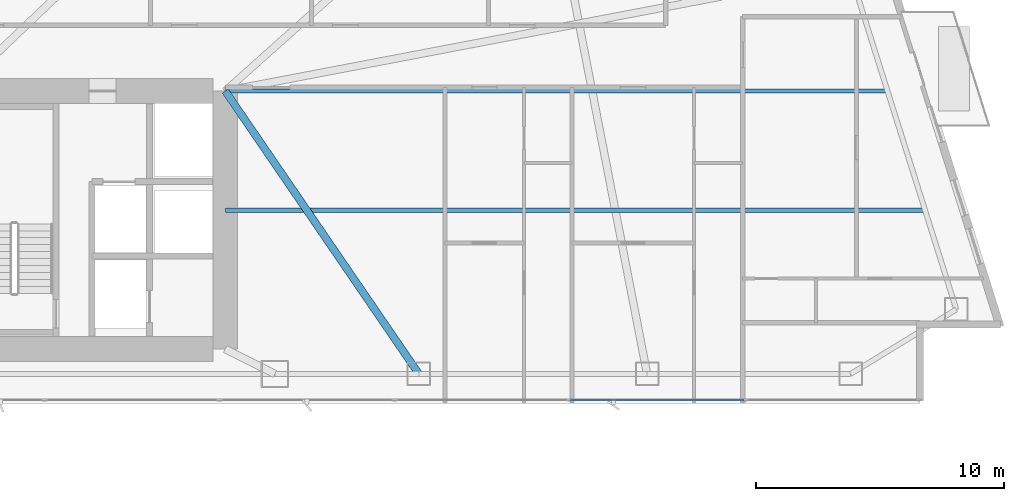
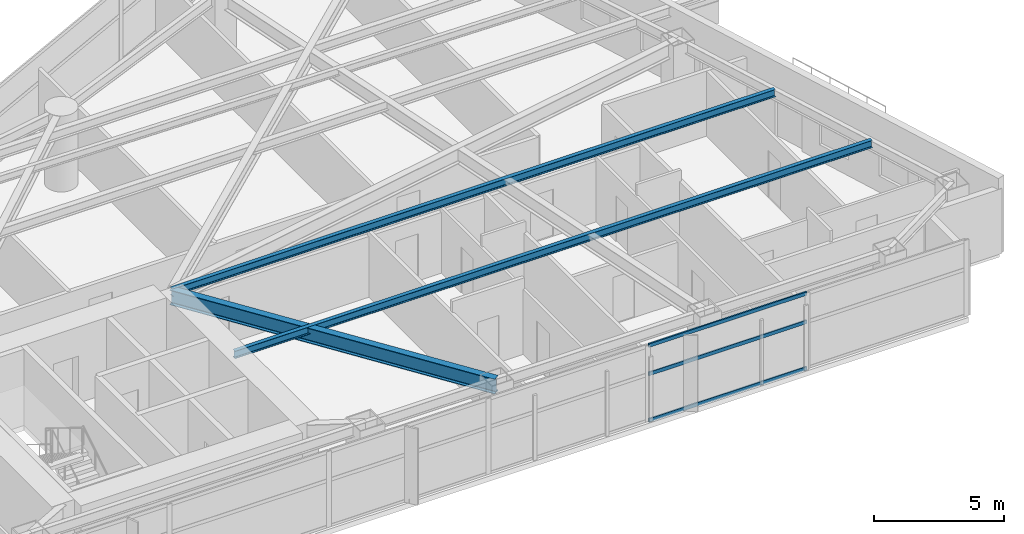
# One storey, part 13 of 29: 3 beams, 3 members, 1 element without a shape of its own.
"""IFC4 building model written with IfcOpenShell, lengths in metres."""

from ifc_helpers import new_model, si_unit, direction, frame, origin, origin_2d, place, context, subcontext, project, spatial, hollow_rectangle, i_section, extrude, material, layer, layer_set, material_profile, profile_set, type_object, element, aggregate, save


model = new_model("IFC4")

# Units and contexts
model_context = context("Model", 3, precision=1e-05, world=origin(), true_north=direction((0.0, 1.0)))
body_context = subcontext(model_context, "Body", "Model", "MODEL_VIEW")
ifc_project = project(units=[si_unit("LENGTHUNIT", "METRE"), si_unit("AREAUNIT", "SQUARE_METRE"), si_unit("VOLUMEUNIT", "CUBIC_METRE"), si_unit("PLANEANGLEUNIT", "RADIAN"), si_unit("MASSUNIT", "GRAM", prefix="KILO")], contexts=[model_context])

# Site, building, storey
site_placement = place(None, origin())
site = spatial("IfcSite", under=ifc_project, at=site_placement, CompositionType="ELEMENT")
building_placement = place(site_placement, origin())
building = spatial("IfcBuilding", under=site, at=building_placement, Name="Calvorn Quay Hotel", CompositionType="ELEMENT")
storey_placement = place(building_placement, frame((0.0, 0.0, 85.0)))
storey = spatial("IfcBuildingStorey", under=building, at=storey_placement, Name="L20", CompositionType="ELEMENT", Elevation=85.0)

# Beams
ifc_material_1 = material(Name="Steel Q390GJC", Category="steel")
ifc_material_profile_1 = material_profile(ifc_material_1, i_section(OverallWidth=0.300048828125, OverallDepth=0.699951171875, WebThickness=0.012939453125, FlangeThickness=0.02392578125, FilletRadius=0.02392578125, at=origin_2d()), Name="HN700x300x13x24")
ifc_profile_set_1 = profile_set([ifc_material_profile_1], Name="Steel Q390GJC")
beam_type_1 = type_object("IfcBeamType", Name="BM-GIRD-MAIN", PredefinedType="BEAM", material=ifc_profile_set_1)
beam_1_placement = place(storey_placement, frame((40.199951171875, 3.60009765625, 3.18994140625), z_axis=(-0.564689618177, 0.825303359452, 0.0), x_axis=(-0.825303359452, -0.564689618177, 0.0)))
element("IfcBeam", 1, at=beam_1_placement, inside=storey, type_object=beam_type_1, Name="Beam BG-L20-E6", PredefinedType="BEAM", context=body_context, shape_type="SweptSolid", body=[
    extrude(i_section(OverallWidth=0.300048828125, OverallDepth=0.699951171875, WebThickness=0.012939453125, FlangeThickness=0.02392578125, FilletRadius=0.02392578125, at=origin_2d()), origin(), (0.0, 0.0, 1.0), 13.81298828125),
])
ifc_material_2 = material(Name="Steel Q355B", Category="steel")
ifc_material_profile_2 = material_profile(ifc_material_2, i_section(OverallWidth=0.175048828125, OverallDepth=0.35009765625, WebThickness=0.007080078125, FlangeThickness=0.010986328125, FilletRadius=0.013916015625, at=origin_2d()), Name="HN350x175x7x11")
ifc_profile_set_2 = profile_set([ifc_material_profile_2], Name="Steel Q355B")
beam_type_2 = type_object("IfcBeamType", Name="BM-JOIST-SEC", PredefinedType="JOIST", material=ifc_profile_set_2)
beam_2_placement = place(storey_placement, frame((32.39990234375, 10.199951171875, 3.364990234375), z_axis=(1.0, 0.0, 0.0), x_axis=(0.0, 1.0, 0.0)))
element("IfcBeam", 2, at=beam_2_placement, inside=storey, type_object=beam_type_2, Name="Beam BJ-L20-E1", PredefinedType="JOIST", context=body_context, shape_type="SweptSolid", body=[
    extrude(i_section(OverallWidth=0.175048828125, OverallDepth=0.35009765625, WebThickness=0.007080078125, FlangeThickness=0.010986328125, FilletRadius=0.013916015625, at=origin_2d()), origin(), (0.0, 0.0, 1.0), 28.201171875),
])
beam_3_placement = place(storey_placement, frame((32.39990234375, 15.0, 3.364990234375), z_axis=(1.0, 0.0, 0.0), x_axis=(0.0, 1.0, 0.0)))
element("IfcBeam", 3, at=beam_3_placement, inside=storey, type_object=beam_type_2, Name="Beam BJ-L20-E2", PredefinedType="JOIST", context=body_context, shape_type="SweptSolid", body=[
    extrude(i_section(OverallWidth=0.175048828125, OverallDepth=0.35009765625, WebThickness=0.007080078125, FlangeThickness=0.010986328125, FilletRadius=0.013916015625, at=origin_2d()), origin(), (0.0, 0.0, 1.0), 26.68798828125),
])

# Curtain wall, members
ifc_material_3 = material(Name="Pale Anodised Aluminium and Low-E Glass", Category="aluminium")
ifc_layer = layer(ifc_material_3, 0.219970703125)
ifc_layer_set = layer_set([ifc_layer], Name="CW-SYS-Z1")
curtain_wall_type = type_object("IfcCurtainWallType", Name="CW-SYS-Z1", PredefinedType="NOTDEFINED", material=ifc_layer_set)
curtain_wall_placement = place(storey_placement, origin())
curtain_wall = element("IfcCurtainWall", 4, at=curtain_wall_placement, inside=storey, type_object=curtain_wall_type, Name="Tower South Waterfront Curtain Wall (L20)", PredefinedType="NOTDEFINED")
ifc_material_4 = material(Name="Pale Anodised Aluminium 6063-T6", Category="aluminium")
ifc_material_profile_3 = material_profile(ifc_material_4, hollow_rectangle(XDim=0.06494140625, YDim=0.1650390625, WallThickness=0.00341796875, at=origin_2d()), Name="ALU-T165x65x3.5")
ifc_profile_set_3 = profile_set([ifc_material_profile_3], Name="Pale Anodised Aluminium 6063-T6")
member_type = type_object("IfcMemberType", Name="CW-SYS-Z1-TRN", PredefinedType="USERDEFINED", material=ifc_profile_set_3)
member_1_placement = place(storey_placement, frame((46.315673828125, 2.550048828125, 0.030029296875), z_axis=(1.0, 0.0, 0.0), x_axis=(0.0, 1.0, 0.0)))
member_1 = element("IfcMember", 5, at=member_1_placement, type_object=member_type, Name="CW-L20-S transom 6.1", ObjectType="TRANSOM", PredefinedType="USERDEFINED", context=body_context, shape_type="SweptSolid", body=[
    extrude(hollow_rectangle(XDim=0.06494140625, YDim=0.1650390625, WallThickness=0.00341796875, at=origin_2d()), origin(), (0.0, 0.0, 1.0), 6.9970703125),
])
member_2_placement = place(storey_placement, frame((46.315673828125, 2.550048828125, 2.199951171875), z_axis=(1.0, 0.0, 0.0), x_axis=(0.0, 1.0, 0.0)))
member_2 = element("IfcMember", 6, at=member_2_placement, type_object=member_type, Name="CW-L20-S transom 6.2", ObjectType="TRANSOM", PredefinedType="USERDEFINED", context=body_context, shape_type="SweptSolid", body=[
    extrude(hollow_rectangle(XDim=0.06494140625, YDim=0.1650390625, WallThickness=0.00341796875, at=origin_2d()), origin(), (0.0, 0.0, 1.0), 6.9970703125),
])
member_3_placement = place(storey_placement, frame((46.315673828125, 2.550048828125, 3.530029296875), z_axis=(1.0, 0.0, 0.0), x_axis=(0.0, 1.0, 0.0)))
member_3 = element("IfcMember", 7, at=member_3_placement, type_object=member_type, Name="CW-L20-S transom 6.3", ObjectType="TRANSOM", PredefinedType="USERDEFINED", context=body_context, shape_type="SweptSolid", body=[
    extrude(hollow_rectangle(XDim=0.06494140625, YDim=0.1650390625, WallThickness=0.00341796875, at=origin_2d()), origin(), (0.0, 0.0, 1.0), 6.9970703125),
])
aggregate(curtain_wall, [member_1, member_2, member_3])

save(model, "model.ifc")
